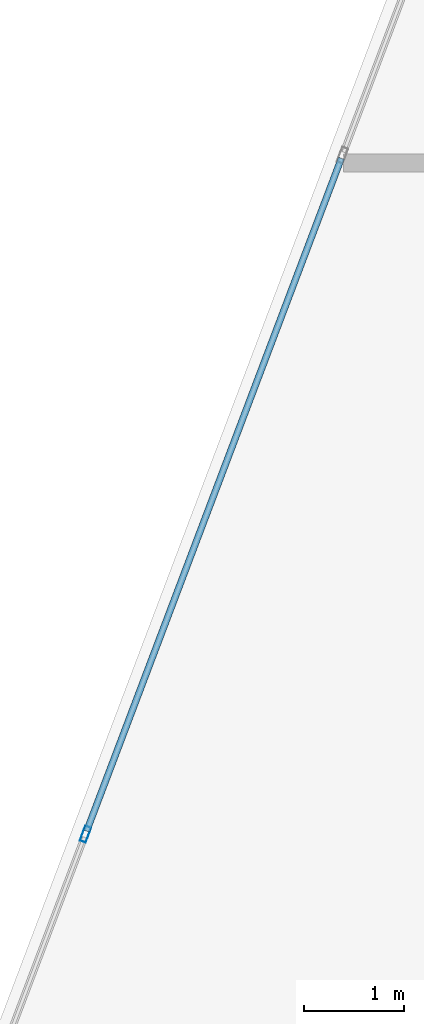
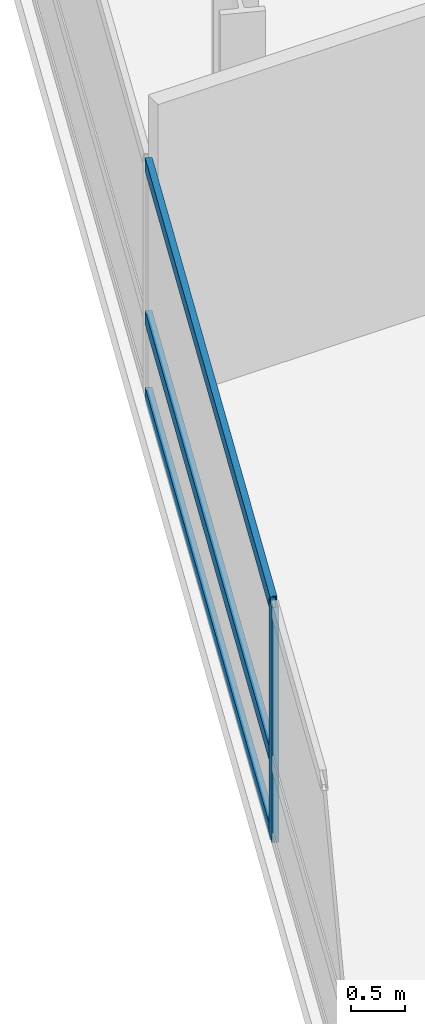
# One storey, part 6 of 25: 4 members, 1 element without a shape of its own.
"""IFC4 building model written with IfcOpenShell, lengths in metres."""

from ifc_helpers import new_model, si_unit, direction, frame, origin, origin_2d, place, context, subcontext, project, spatial, hollow_rectangle, extrude, material, layer, layer_set, material_profile, profile_set, type_object, element, aggregate, save


model = new_model("IFC4")

# Units and contexts
model_context = context("Model", 3, precision=1e-05, world=origin(), true_north=direction((0.0, 1.0)))
body_context = subcontext(model_context, "Body", "Model", "MODEL_VIEW")
ifc_project = project(units=[si_unit("LENGTHUNIT", "METRE"), si_unit("AREAUNIT", "SQUARE_METRE"), si_unit("VOLUMEUNIT", "CUBIC_METRE"), si_unit("PLANEANGLEUNIT", "RADIAN"), si_unit("MASSUNIT", "GRAM", prefix="KILO")], contexts=[model_context])

# Site, building, storey
site_placement = place(None, origin())
site = spatial("IfcSite", under=ifc_project, at=site_placement, CompositionType="ELEMENT")
building_placement = place(site_placement, origin())
building = spatial("IfcBuilding", under=site, at=building_placement, Name="Varnelok Gate Tower", CompositionType="ELEMENT")
storey_placement = place(building_placement, frame((0.0, 0.0, 113.199951171875)))
storey = spatial("IfcBuildingStorey", under=building, at=storey_placement, Name="L28", CompositionType="ELEMENT", Elevation=113.199951171875)

# Curtain wall, members
ifc_material = material(Name="Anodized Aluminum Alloy 6063-T6", Category="aluminium")
ifc_layer = layer(ifc_material, 0.179931640625)
ifc_layer_set = layer_set([ifc_layer], Name="Anodized Aluminum Alloy 6063-T6")
curtain_wall_type = type_object("IfcCurtainWallType", Name="CW3-HOTEL-VISION", PredefinedType="USERDEFINED", material=ifc_layer_set)
curtain_wall_placement = place(storey_placement, origin())
curtain_wall = element("IfcCurtainWall", 1, at=curtain_wall_placement, inside=storey, type_object=curtain_wall_type, Name="L28 West End Vision Curtain Wall", ObjectType="UNITISED CURTAIN WALL", PredefinedType="USERDEFINED")
ifc_material_profile_1 = material_profile(ifc_material, hollow_rectangle(XDim=0.06494140625, YDim=0.159912109375, WallThickness=0.00390625, at=origin_2d()), Name="ALU160X65X4")
ifc_profile_set_1 = profile_set([ifc_material_profile_1], Name="Anodized Aluminum Alloy 6063-T6")
member_type_1 = type_object("IfcMemberType", Name="CW-MULL-160", PredefinedType="MULLION", material=ifc_profile_set_1)
member_1_placement = place(storey_placement, frame((3.072021484375, 35.10693359375, 0.0), z_axis=(0.0, 0.0, 1.0), x_axis=(-0.935221323688, 0.354063660545, 0.0)))
member_1 = element("IfcMember", 2, at=member_1_placement, type_object=member_type_1, Name="CW3 mullion 3", PredefinedType="MULLION", context=body_context, shape_type="SweptSolid", body=[
    extrude(hollow_rectangle(XDim=0.06494140625, YDim=0.159912109375, WallThickness=0.00390625, at=origin_2d()), origin(), (0.0, 0.0, 1.0), 2.66015625),
])
ifc_material_profile_2 = material_profile(ifc_material, hollow_rectangle(XDim=0.06494140625, YDim=0.159912109375, WallThickness=0.00390625, at=origin_2d()), Name="ALU160X65X4")
ifc_profile_set_2 = profile_set([ifc_material_profile_2], Name="Anodized Aluminum Alloy 6063-T6")
member_type_2 = type_object("IfcMemberType", Name="CW-TRAN-160", PredefinedType="USERDEFINED", material=ifc_profile_set_2)
member_2_placement = place(storey_placement, frame((3.08349609375, 35.13720703125, 0.032470703125), z_axis=(0.354048963644, 0.935226887628, 0.0), x_axis=(-0.935226887628, 0.354048963644, 0.0)))
member_2 = element("IfcMember", 3, at=member_2_placement, type_object=member_type_2, Name="CW3 transom 3.1", ObjectType="TRANSOM", PredefinedType="USERDEFINED", context=body_context, shape_type="SweptSolid", body=[
    extrude(hollow_rectangle(XDim=0.06494140625, YDim=0.159912109375, WallThickness=0.00390625, at=origin_2d()), origin(), (0.0, 0.0, 1.0), 7.175048828125),
])
member_3_placement = place(storey_placement, frame((3.08349609375, 35.13720703125, 0.900146484375), z_axis=(0.354048963644, 0.935226887628, 0.0), x_axis=(-0.935226887628, 0.354048963644, 0.0)))
member_3 = element("IfcMember", 4, at=member_3_placement, type_object=member_type_2, Name="CW3 transom 3.2", ObjectType="TRANSOM", PredefinedType="USERDEFINED", context=body_context, shape_type="SweptSolid", body=[
    extrude(hollow_rectangle(XDim=0.06494140625, YDim=0.159912109375, WallThickness=0.00390625, at=origin_2d()), origin(), (0.0, 0.0, 1.0), 7.175048828125),
])
member_4_placement = place(storey_placement, frame((3.08349609375, 35.13720703125, 2.62744140625), z_axis=(0.354048963644, 0.935226887628, 0.0), x_axis=(-0.935226887628, 0.354048963644, 0.0)))
member_4 = element("IfcMember", 5, at=member_4_placement, type_object=member_type_2, Name="CW3 transom 3.3", ObjectType="TRANSOM", PredefinedType="USERDEFINED", context=body_context, shape_type="SweptSolid", body=[
    extrude(hollow_rectangle(XDim=0.06494140625, YDim=0.159912109375, WallThickness=0.00390625, at=origin_2d()), origin(), (0.0, 0.0, 1.0), 7.175048828125),
])
aggregate(curtain_wall, [member_1, member_2, member_3, member_4])

save(model, "model.ifc")
